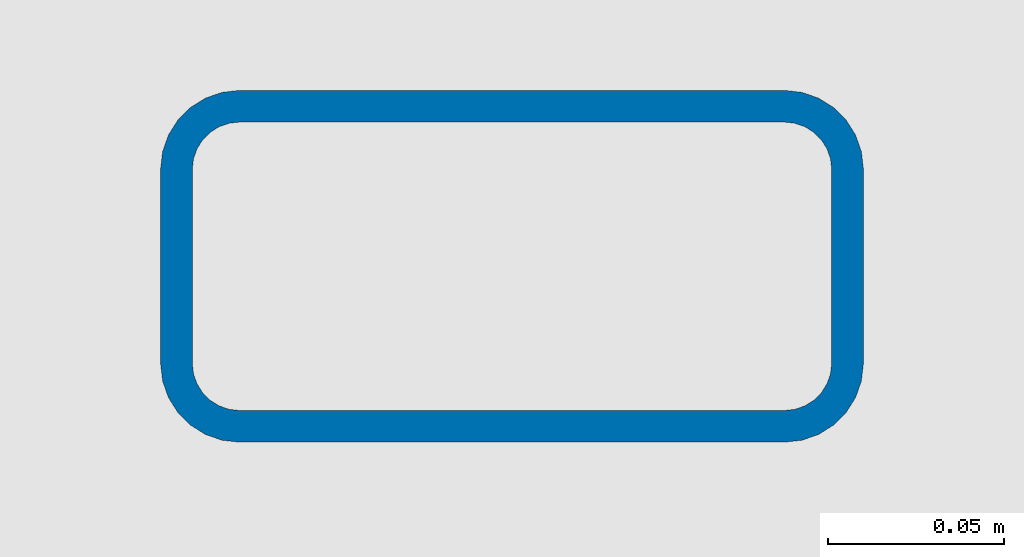
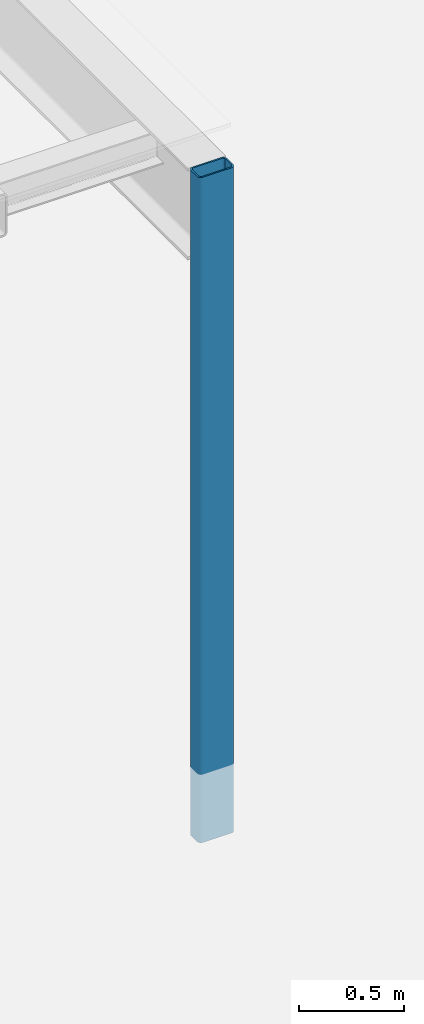
# One storey, part 12 of 39: 1 column.
"""IFC4 building model written with IfcOpenShell, lengths in metres."""

from ifc_helpers import new_model, si_unit, direction, frame, origin, origin_2d, place, context, subcontext, project, spatial, hollow_rectangle, extrude, material, material_profile, profile_set, type_object, element, save


model = new_model("IFC4")

# Units and contexts
model_context = context("Model", 3, precision=1e-05, world=origin(), true_north=direction((0.0, 1.0)))
body_context = subcontext(model_context, "Body", "Model", "MODEL_VIEW")
ifc_project = project(units=[si_unit("LENGTHUNIT", "METRE"), si_unit("AREAUNIT", "SQUARE_METRE"), si_unit("VOLUMEUNIT", "CUBIC_METRE"), si_unit("PLANEANGLEUNIT", "RADIAN"), si_unit("MASSUNIT", "GRAM", prefix="KILO")], contexts=[model_context])

# Site, building, storey
site_placement = place(None, origin())
site = spatial("IfcSite", under=ifc_project, at=site_placement, CompositionType="ELEMENT")
building_placement = place(site_placement, origin())
building = spatial("IfcBuilding", under=site, at=building_placement, Name="Brigalow Station Residences", CompositionType="ELEMENT")
storey_placement = place(building_placement, origin())
storey = spatial("IfcBuildingStorey", under=building, at=storey_placement, Name="L00", CompositionType="ELEMENT", Elevation=0.0)

# Column
ifc_material = material(Name="Steel Grade C450L0 to AS/NZS 1163", Category="steel")
ifc_material_profile = material_profile(ifc_material, hollow_rectangle(XDim=0.10009765625, YDim=0.199951171875, WallThickness=0.009033203125, InnerFilletRadius=0.013427734375, OuterFilletRadius=0.0224609375, at=origin_2d()), Name="200x100x9.0RHS")
ifc_profile_set = profile_set([ifc_material_profile], Name="Steel Grade C450L0 to AS/NZS 1163")
column_type = type_object("IfcColumnType", Name="CANOPY POST 200x100x9.0RHS", PredefinedType="COLUMN", material=ifc_profile_set)
column_placement = place(storey_placement, frame((92.595458984375, 13.050048828125, -0.39990234375), z_axis=(0.0, 0.0, 1.0), x_axis=(0.0, 1.0, 0.0)))
element("IfcColumn", 1, at=column_placement, inside=storey, type_object=column_type, Name="L00/canopy-post/E-exit-1", PredefinedType="COLUMN", context=body_context, shape_type="SweptSolid", body=[
    extrude(hollow_rectangle(XDim=0.10009765625, YDim=0.199951171875, WallThickness=0.009033203125, InnerFilletRadius=0.013427734375, OuterFilletRadius=0.0224609375, at=origin_2d()), origin(), (0.0, 0.0, 1.0), 3.8779296875),
])

save(model, "model.ifc")
